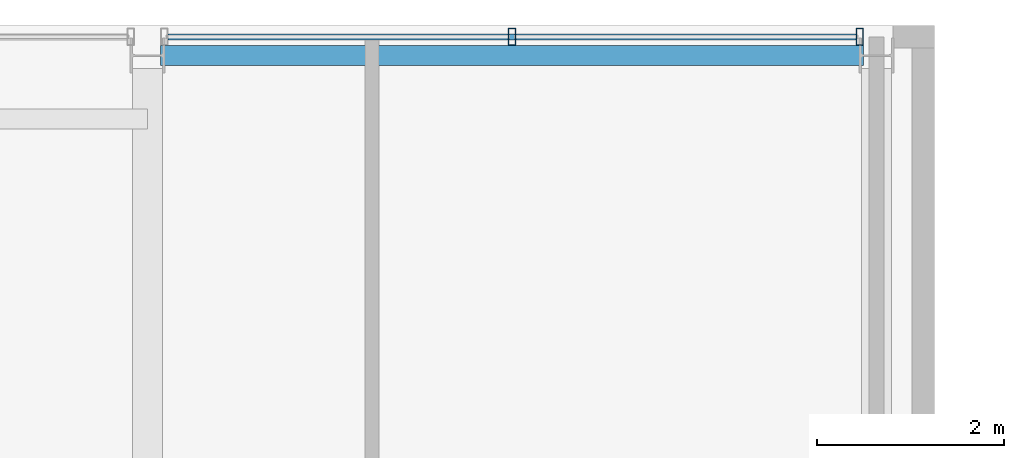
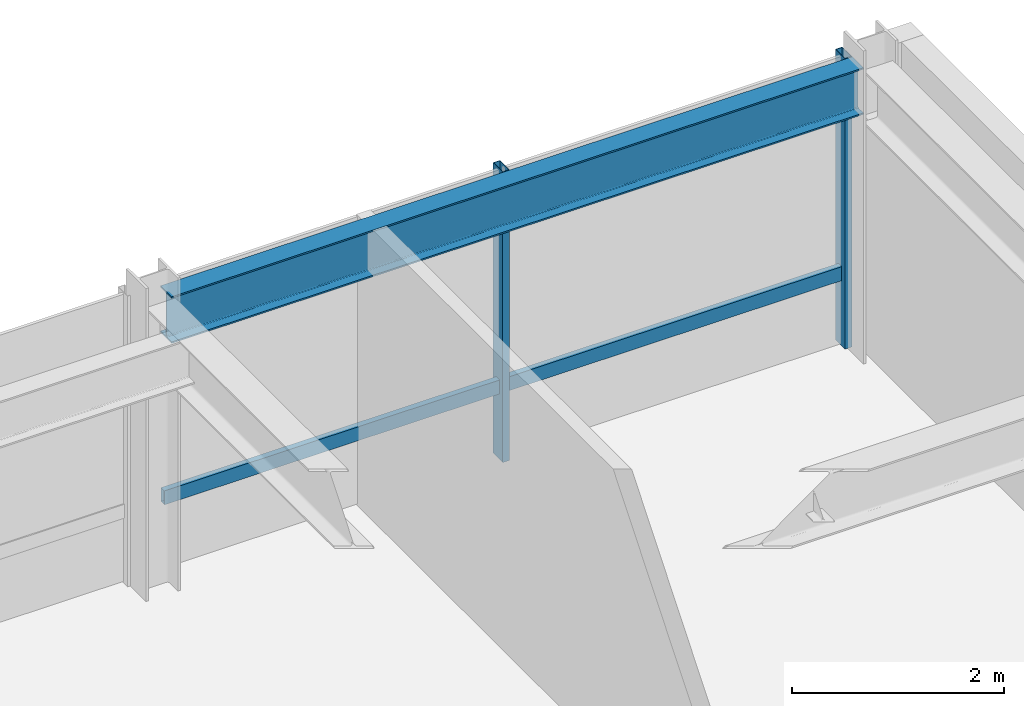
# One storey, part 24 of 31: 3 members, 1 beam, 1 element without a shape of its own.
"""IFC4 building model written with IfcOpenShell, lengths in metres."""

from ifc_helpers import new_model, si_unit, direction, frame, origin, origin_2d, place, context, subcontext, project, spatial, hollow_rectangle, i_section, extrude, material, layer, layer_set, material_profile, profile_set, type_object, element, aggregate, save


model = new_model("IFC4")

# Units and contexts
model_context = context("Model", 3, precision=1e-05, world=origin(), true_north=direction((0.0, 1.0)))
body_context = subcontext(model_context, "Body", "Model", "MODEL_VIEW")
ifc_project = project(units=[si_unit("LENGTHUNIT", "METRE"), si_unit("AREAUNIT", "SQUARE_METRE"), si_unit("VOLUMEUNIT", "CUBIC_METRE"), si_unit("PLANEANGLEUNIT", "RADIAN"), si_unit("MASSUNIT", "GRAM", prefix="KILO")], contexts=[model_context])

# Site, building, storey
site_placement = place(None, origin())
site = spatial("IfcSite", under=ifc_project, at=site_placement, CompositionType="ELEMENT")
building_placement = place(site_placement, origin())
building = spatial("IfcBuilding", under=site, at=building_placement, Name="Drelvath Grand Hotel", CompositionType="ELEMENT")
storey_placement = place(building_placement, frame((0.0, 0.0, 244.699951171875)))
storey = spatial("IfcBuildingStorey", under=building, at=storey_placement, Name="L64", CompositionType="ELEMENT", Elevation=244.699951171875)

# Curtain wall, members
ifc_material_1 = material(Name="Platinum-Mist Anodised Aluminium Frame", Category="aluminium")
ifc_layer = layer(ifc_material_1, 0.199951171875)
ifc_layer_set = layer_set([ifc_layer], Name="Platinum-Mist Anodised Aluminium Frame")
curtain_wall_type = type_object("IfcCurtainWallType", Name="Stick Curtain Wall CW-05 Platinum Mist High-Rise", PredefinedType="NOTDEFINED", material=ifc_layer_set)
curtain_wall_placement = place(storey_placement, origin())
curtain_wall = element("IfcCurtainWall", 1, at=curtain_wall_placement, inside=storey, type_object=curtain_wall_type, Name="L64 CW-05 Curtain Wall CW05-L64-NE2", PredefinedType="NOTDEFINED")
ifc_material_profile_1 = material_profile(ifc_material_1, hollow_rectangle(XDim=0.06494140625, YDim=0.159912109375, WallThickness=0.00390625, at=origin_2d()), Name="HSS160X65X4")
ifc_profile_set_1 = profile_set([ifc_material_profile_1], Name="Platinum-Mist Anodised Aluminium Frame")
member_type_1 = type_object("IfcMemberType", Name="Curtain Wall Horizontal Transom CW-05 HSS160X65X4", PredefinedType="USERDEFINED", material=ifc_profile_set_1)
member_1_placement = place(storey_placement, frame((8.6181640625, 49.080078125, 0.8349609375), z_axis=(1.0, 0.0, 0.0), x_axis=(0.0, 1.0, 0.0)))
member_1 = element("IfcMember", 2, at=member_1_placement, type_object=member_type_1, Name="CW05-L64-NE2 Sill Transom", ObjectType="TRANSOM", PredefinedType="USERDEFINED", context=body_context, shape_type="SweptSolid", body=[
    extrude(hollow_rectangle(XDim=0.06494140625, YDim=0.159912109375, WallThickness=0.00390625, at=origin_2d()), origin(), (0.0, 0.0, 1.0), 7.363525390625),
])
ifc_material_profile_2 = material_profile(ifc_material_1, hollow_rectangle(XDim=0.074951171875, YDim=0.179931640625, WallThickness=0.0048828125, at=origin_2d()), Name="HSS180X75X5")
ifc_profile_set_2 = profile_set([ifc_material_profile_2], Name="Platinum-Mist Anodised Aluminium Frame")
member_type_2 = type_object("IfcMemberType", Name="Curtain Wall Vertical Mullion CW-05 HSS180X75X5", PredefinedType="MULLION", material=ifc_profile_set_2)
member_2_placement = place(storey_placement, frame((12.300048828125, 49.080078125, 0.0), z_axis=(0.0, 0.0, 1.0), x_axis=(1.0, 0.0, 0.0)))
member_2 = element("IfcMember", 3, at=member_2_placement, type_object=member_type_2, Name="CW05-L64-NE2 Mullion 2", PredefinedType="MULLION", context=body_context, shape_type="SweptSolid", body=[
    extrude(hollow_rectangle(XDim=0.074951171875, YDim=0.179931640625, WallThickness=0.0048828125, at=origin_2d()), origin(), (0.0, 0.0, 1.0), 3.340087890625),
])
member_3_placement = place(storey_placement, frame((16.021728515625, 49.080078125, 0.0), z_axis=(0.0, 0.0, 1.0), x_axis=(1.0, 0.0, 0.0)))
member_3 = element("IfcMember", 4, at=member_3_placement, type_object=member_type_2, Name="CW05-L64-NE2 Mullion 3", PredefinedType="MULLION", context=body_context, shape_type="SweptSolid", body=[
    extrude(hollow_rectangle(XDim=0.074951171875, YDim=0.179931640625, WallThickness=0.0048828125, at=origin_2d()), origin(), (0.0, 0.0, 1.0), 3.340087890625),
])
aggregate(curtain_wall, [member_2, member_3, member_1])

# Beam
ifc_material_2 = material(Name="Steel ASTM A992 Gr 50", Category="steel")
ifc_material_profile_3 = material_profile(ifc_material_2, i_section(OverallWidth=0.210205078125, OverallDepth=0.53662109375, WebThickness=0.010986328125, FlangeThickness=0.017333984375, FilletRadius=0.01806640625, at=origin_2d()), Name="W21X68")
ifc_profile_set_3 = profile_set([ifc_material_profile_3], Name="Steel ASTM A992 Gr 50")
beam_type = type_object("IfcBeamType", Name="Perimeter Spandrel Beam W21X68", PredefinedType="SPANDREL", material=ifc_profile_set_3)
beam_placement = place(storey_placement, frame((8.5400390625, 48.8798828125, 3.071533203125), z_axis=(1.0, 0.0, 0.0), x_axis=(0.0, 1.0, 0.0)))
element("IfcBeam", 5, at=beam_placement, inside=storey, type_object=beam_type, Name="L64 Spandrel North E", PredefinedType="SPANDREL", context=body_context, shape_type="SweptSolid", body=[
    extrude(i_section(OverallWidth=0.210205078125, OverallDepth=0.53662109375, WebThickness=0.010986328125, FlangeThickness=0.017333984375, FilletRadius=0.01806640625, at=origin_2d()), origin(), (0.0, 0.0, 1.0), 7.52001953125),
])

save(model, "model.ifc")
